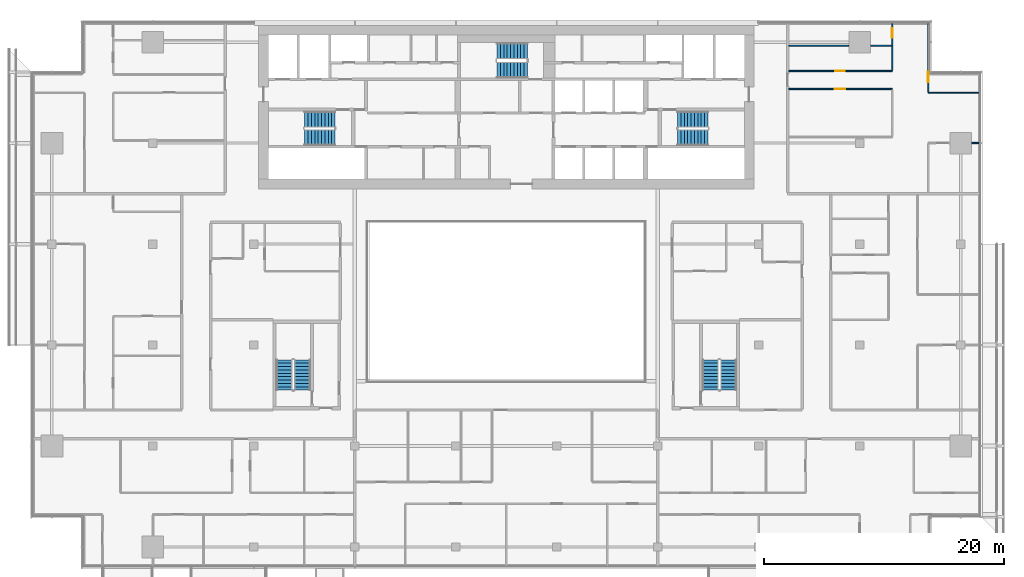
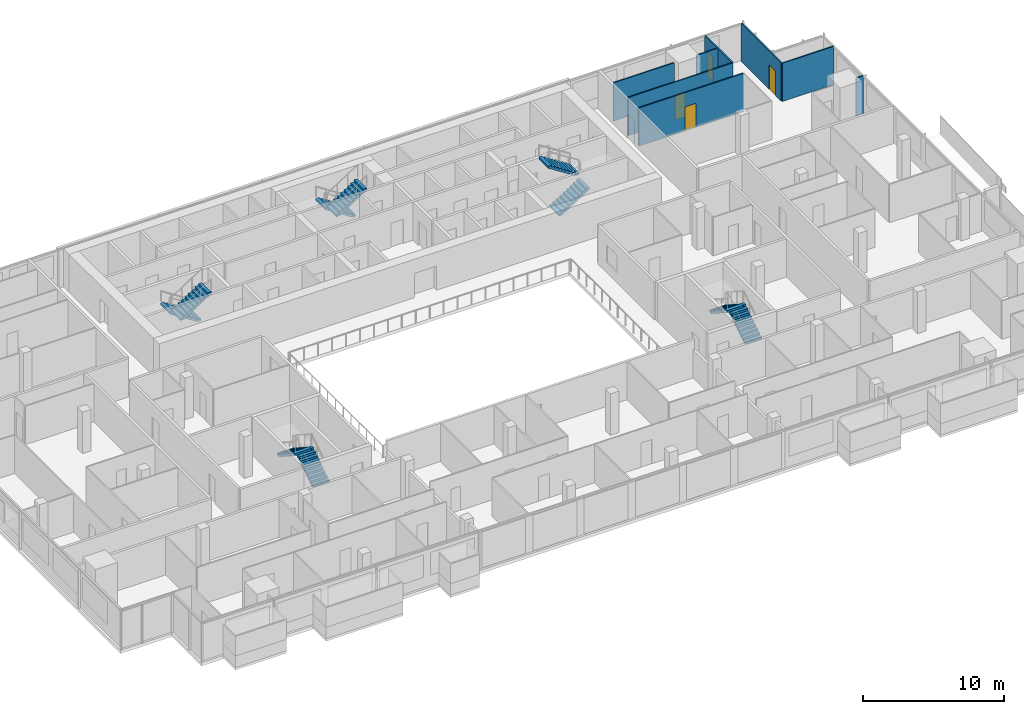
# One storey, part 25 of 29: 10 stair flights, 8 walls, 4 doors, 4 openings, 5 elements without a shape of their own.
"""IFC4 building model written with IfcOpenShell, lengths in metres."""

from ifc_helpers import new_model, si_unit, direction, frame, frame_2d, origin, place, context, subcontext, project, spatial, polyline, rectangle, outline, extrude, material, layer, layer_set, type_object, element, fill, aggregate, save


model = new_model("IFC4")

# Units and contexts
model_context = context("Model", 3, precision=1e-05, world=origin(), true_north=direction((0.0, 1.0)))
body_context = subcontext(model_context, "Body", "Model", "MODEL_VIEW")
ifc_project = project(units=[si_unit("LENGTHUNIT", "METRE"), si_unit("AREAUNIT", "SQUARE_METRE"), si_unit("VOLUMEUNIT", "CUBIC_METRE"), si_unit("PLANEANGLEUNIT", "RADIAN"), si_unit("MASSUNIT", "GRAM", prefix="KILO")], contexts=[model_context])

# Site, building, storey
site_placement = place(None, origin())
site = spatial("IfcSite", under=ifc_project, at=site_placement, CompositionType="ELEMENT")
building_placement = place(site_placement, origin())
building = spatial("IfcBuilding", under=site, at=building_placement, Name="Saffron Gate Tower", CompositionType="ELEMENT")
storey_placement = place(building_placement, frame((0.0, 0.0, 161.85009765625)))
storey = spatial("IfcBuildingStorey", under=building, at=storey_placement, Name="L39", CompositionType="ELEMENT", Elevation=161.85009765625)

# Walls
ifc_material_1 = material(Name="Plasterboard on steel studs", Category="steel")
ifc_layer = layer(ifc_material_1, 0.10009765625)
ifc_layer_set = layer_set([ifc_layer], Name="PW1 Partition 100")
wall_type = type_object("IfcWallType", Name="PW1 Partition 100", PredefinedType="PARTITIONING", material=ifc_layer_set)
wall_1_placement = place(storey_placement, frame((126.320068359375, 65.39990234375, 0.0), z_axis=(0.0, 0.0, 1.0), x_axis=(1.0, 0.0, 0.0)))
element("IfcWall", 1, at=wall_1_placement, inside=storey, type_object=wall_type, Name="Partition C2-48", PredefinedType="PARTITIONING", context=body_context, shape_type="SweptSolid", body=[
    extrude(rectangle(XDim=0.599853515625, YDim=0.10009765625, at=frame_2d((0.2998046875, 0.0))), origin(), (0.0, 0.0, 1.0), 3.31982421875),
])
wall_2_placement = place(storey_placement, frame((122.699951171875, 69.60009765625, 0.0), z_axis=(0.0, 0.0, 1.0), x_axis=(1.0, 0.0, 0.0)))
element("IfcWall", 2, at=wall_2_placement, inside=storey, type_object=wall_type, Name="Partition C2-54", PredefinedType="PARTITIONING", context=body_context, shape_type="SweptSolid", body=[
    extrude(rectangle(XDim=4.219970703125, YDim=0.10009765625, at=frame_2d((2.10986328125, 0.0))), origin(), (0.0, 0.0, 1.0), 3.31982421875),
])

# Wall, opening, door
wall_3_placement = place(storey_placement, frame((119.699951171875, 69.89990234375, 0.0), z_axis=(0.0, 0.0, 1.0), x_axis=(-1.0, 0.0, 0.0)))
wall_3 = element("IfcWall", 3, at=wall_3_placement, inside=storey, type_object=wall_type, Name="Partition C2-55", PredefinedType="PARTITIONING", context=body_context, shape_type="SweptSolid", body=[
    extrude(rectangle(XDim=8.599853515625, YDim=0.10009765625, at=frame_2d((4.2998046875, 0.0))), origin(), (0.0, 0.0, 1.0), 3.31982421875),
])
opening_1_placement = place(wall_3_placement, frame((3.89990234375, 0.0, 0.0)))
opening_1 = element("IfcOpeningElement", 4, at=opening_1_placement, cuts=wall_3, Name="Opening C2-36", PredefinedType="OPENING", context=body_context, shape_type="SweptSolid", body=[
    extrude(rectangle(XDim=0.89990234375, YDim=2.10009765625, at=frame_2d((0.449951171875, 1.050048828125))), frame((0.0, 0.06005859375, 0.0), z_axis=(0.0, -1.0, 0.0), x_axis=(1.0, 0.0, 0.0)), (0.0, 0.0, 1.0), 0.1201171875),
])
ifc_material_2 = material(Name="Timber door set", Category="wood")
door_type_1 = type_object("IfcDoorType", Name="RD1 Room door 900x2100", OperationType="NOTDEFINED", PredefinedType="DOOR", material=ifc_material_2)
door_1_placement = place(opening_1_placement, origin())
door_1 = element("IfcDoor", 5, at=door_1_placement, inside=storey, type_object=door_type_1, Name="Door C2-36", OperationType="SINGLE_SWING_RIGHT", OverallHeight=2.10009765625, OverallWidth=0.89990234375, PredefinedType="DOOR", context=body_context, shape_type="SweptSolid", body=[
    extrude(rectangle(XDim=0.89990234375, YDim=2.10009765625, at=frame_2d((0.449951171875, 1.050048828125))), frame((0.0, 0.02490234375, 0.0), z_axis=(0.0, -1.0, 0.0), x_axis=(1.0, 0.0, 0.0)), (0.0, 0.0, 1.0), 0.050048828125),
])
fill(opening_1, door_1)

wall_4_placement = place(storey_placement, frame((111.10009765625, 71.39990234375, 0.0), z_axis=(0.0, 0.0, 1.0), x_axis=(1.0, 0.0, 0.0)))
wall_4 = element("IfcWall", 6, at=wall_4_placement, inside=storey, type_object=wall_type, Name="Partition C2-57", PredefinedType="PARTITIONING", context=body_context, shape_type="SweptSolid", body=[
    extrude(rectangle(XDim=8.599853515625, YDim=0.10009765625, at=frame_2d((4.2998046875, 0.0))), origin(), (0.0, 0.0, 1.0), 3.31982421875),
])
opening_2_placement = place(wall_4_placement, frame((3.85009765625, 0.0, 0.0)))
opening_2 = element("IfcOpeningElement", 7, at=opening_2_placement, cuts=wall_4, Name="Opening C2-50", PredefinedType="OPENING", context=body_context, shape_type="SweptSolid", body=[
    extrude(rectangle(XDim=0.800048828125, YDim=2.10009765625, at=frame_2d((0.39990234375, 1.050048828125))), frame((0.0, 0.06005859375, 0.0), z_axis=(0.0, -1.0, 0.0), x_axis=(1.0, 0.0, 0.0)), (0.0, 0.0, 1.0), 0.1201171875),
])
door_type_2 = type_object("IfcDoorType", Name="RD2 Bathroom door 800x2100", OperationType="NOTDEFINED", PredefinedType="DOOR", material=ifc_material_2)
door_2_placement = place(opening_2_placement, origin())
door_2 = element("IfcDoor", 8, at=door_2_placement, inside=storey, type_object=door_type_2, Name="Door C2-50", OperationType="SINGLE_SWING_LEFT", OverallHeight=2.10009765625, OverallWidth=0.800048828125, PredefinedType="DOOR", context=body_context, shape_type="SweptSolid", body=[
    extrude(rectangle(XDim=0.800048828125, YDim=2.10009765625, at=frame_2d((0.39990234375, 1.050048828125))), frame((0.0, 0.02490234375, 0.0), z_axis=(0.0, -1.0, 0.0), x_axis=(1.0, 0.0, 0.0)), (0.0, 0.0, 1.0), 0.050048828125),
])
fill(opening_2, door_2)

# Walls
wall_5_placement = place(storey_placement, frame((111.10009765625, 73.5, 0.0), z_axis=(0.0, 0.0, 1.0), x_axis=(1.0, 0.0, 0.0)))
element("IfcWall", 9, at=wall_5_placement, inside=storey, type_object=wall_type, Name="Partition C2-58", PredefinedType="PARTITIONING", context=body_context, shape_type="SweptSolid", body=[
    extrude(rectangle(XDim=4.97998046875, YDim=0.10009765625, at=frame_2d((2.489990234375, 0.0))), origin(), (0.0, 0.0, 1.0), 3.31982421875),
])
wall_6_placement = place(storey_placement, frame((117.919921875, 73.5, 0.0), z_axis=(0.0, 0.0, 1.0), x_axis=(1.0, 0.0, 0.0)))
element("IfcWall", 10, at=wall_6_placement, inside=storey, type_object=wall_type, Name="Partition C2-59", PredefinedType="PARTITIONING", context=body_context, shape_type="SweptSolid", body=[
    extrude(rectangle(XDim=1.72998046875, YDim=0.10009765625, at=frame_2d((0.864990234375, 0.0))), origin(), (0.0, 0.0, 1.0), 3.31982421875),
])

# Wall, opening, door
wall_7_placement = place(storey_placement, frame((119.699951171875, 71.449951171875, 0.0), z_axis=(0.0, 0.0, 1.0), x_axis=(0.0, 1.0, 0.0)))
wall_7 = element("IfcWall", 11, at=wall_7_placement, inside=storey, type_object=wall_type, Name="Partition C2-113", PredefinedType="PARTITIONING", context=body_context, shape_type="SweptSolid", body=[
    extrude(rectangle(XDim=3.8701171875, YDim=0.10009765625, at=frame_2d((1.93505859375, 0.0))), origin(), (0.0, 0.0, 1.0), 3.31982421875),
])
opening_3_placement = place(wall_7_placement, frame((2.699951171875, 0.0, 0.0)))
opening_3 = element("IfcOpeningElement", 12, at=opening_3_placement, cuts=wall_7, Name="Opening C2-51", PredefinedType="OPENING", context=body_context, shape_type="SweptSolid", body=[
    extrude(rectangle(XDim=0.800048828125, YDim=2.10009765625, at=frame_2d((0.39990234375, 1.050048828125))), frame((0.0, 0.06005859375, 0.0), z_axis=(0.0, -1.0, 0.0), x_axis=(1.0, 0.0, 0.0)), (0.0, 0.0, 1.0), 0.1201171875),
])
door_3_placement = place(opening_3_placement, origin())
door_3 = element("IfcDoor", 13, at=door_3_placement, inside=storey, type_object=door_type_2, Name="Door C2-51", OperationType="SINGLE_SWING_RIGHT", OverallHeight=2.10009765625, OverallWidth=0.800048828125, PredefinedType="DOOR", context=body_context, shape_type="SweptSolid", body=[
    extrude(rectangle(XDim=0.800048828125, YDim=2.10009765625, at=frame_2d((0.39990234375, 1.050048828125))), frame((0.0, 0.02490234375, 0.0), z_axis=(0.0, -1.0, 0.0), x_axis=(1.0, 0.0, 0.0)), (0.0, 0.0, 1.0), 0.050048828125),
])
fill(opening_3, door_3)

wall_8_placement = place(storey_placement, frame((122.699951171875, 75.320068359375, 0.0), z_axis=(0.0, 0.0, 1.0), x_axis=(0.0, -1.0, 0.0)))
wall_8 = element("IfcWall", 14, at=wall_8_placement, inside=storey, type_object=wall_type, Name="Partition C2-119", PredefinedType="PARTITIONING", context=body_context, shape_type="SweptSolid", body=[
    extrude(rectangle(XDim=5.670166015625, YDim=0.10009765625, at=frame_2d((2.8349609375, 0.0))), origin(), (0.0, 0.0, 1.0), 3.31982421875),
])
opening_4_placement = place(wall_8_placement, frame((3.96630859375, 0.0, 0.0)))
opening_4 = element("IfcOpeningElement", 15, at=opening_4_placement, cuts=wall_8, Name="Opening C2-35", PredefinedType="OPENING", context=body_context, shape_type="SweptSolid", body=[
    extrude(rectangle(XDim=0.89990234375, YDim=2.10009765625, at=frame_2d((0.449951171875, 1.050048828125))), frame((0.0, 0.06005859375, 0.0), z_axis=(0.0, -1.0, 0.0), x_axis=(1.0, 0.0, 0.0)), (0.0, 0.0, 1.0), 0.1201171875),
])
door_4_placement = place(opening_4_placement, origin())
door_4 = element("IfcDoor", 16, at=door_4_placement, inside=storey, type_object=door_type_1, Name="Door C2-35", OperationType="SINGLE_SWING_RIGHT", OverallHeight=2.10009765625, OverallWidth=0.89990234375, PredefinedType="DOOR", context=body_context, shape_type="SweptSolid", body=[
    extrude(rectangle(XDim=0.89990234375, YDim=2.10009765625, at=frame_2d((0.449951171875, 1.050048828125))), frame((0.0, 0.02490234375, 0.0), z_axis=(0.0, -1.0, 0.0), x_axis=(1.0, 0.0, 0.0)), (0.0, 0.0, 1.0), 0.050048828125),
])
fill(opening_4, door_4)

# Stair, stair flights
ifc_material_3 = material(Name="Concrete C40", Category="concrete")
stair_type = type_object("IfcStairType", Name="ST7 Stair 1350 wide, 20 risers of 180", PredefinedType="HALF_TURN_STAIR", material=ifc_material_3)
stair_1_placement = place(storey_placement, origin())
stair_1 = element("IfcStair", 17, at=stair_1_placement, inside=storey, type_object=stair_type, Name="L39 Exit stair A", PredefinedType="HALF_TURN_STAIR")
stair_flight_type = type_object("IfcStairFlightType", Name="SF3 Stair flight 1350 wide, riser 180 going 280", PredefinedType="STRAIGHT", material=ifc_material_3)
stair_flight_1_placement = place(storey_placement, frame((73.35009765625, 67.375, 0.0), z_axis=(0.0, 0.0, 1.0), x_axis=(-1.0, 0.0, 0.0)))
stair_flight_1 = element("IfcStairFlight", 18, at=stair_flight_1_placement, type_object=stair_flight_type, Name="ST-A flight 1", NumberOfRisers=10, NumberOfTreads=9, PredefinedType="STRAIGHT", RiserHeight=0.18, TreadLength=0.28, context=body_context, shape_type="SweptSolid", body=[
    extrude(outline(polyline([(0.0, 0.0), (0.0, 0.179931640625), (0.280029296875, 0.179931640625), (0.280029296875, 0.360107421875), (0.56005859375, 0.360107421875), (0.56005859375, 0.5400390625), (0.840087890625, 0.5400390625), (0.840087890625, 0.719970703125), (1.1201171875, 0.719970703125), (1.1201171875, 0.89990234375), (1.39990234375, 0.89990234375), (1.39990234375, 1.080078125), (1.679931640625, 1.080078125), (1.679931640625, 1.260009765625), (1.9599609375, 1.260009765625), (1.9599609375, 1.43994140625), (2.239990234375, 1.43994140625), (2.239990234375, 1.6201171875), (2.52001953125, 1.6201171875), (2.52001953125, 1.800048828125), (2.52001953125, 1.44189453125), (0.277099609375, 0.0), (0.0, 0.0)])), frame((0.0, 0.675048828125, 0.0), z_axis=(0.0, -1.0, 0.0), x_axis=(1.0, 0.0, 0.0)), (0.0, 0.0, 1.0), 1.35009765625),
])
stair_flight_2_placement = place(storey_placement, frame((70.830078125, 65.875, 1.7998046875), z_axis=(0.0, 0.0, 1.0), x_axis=(1.0, 0.0, 0.0)))
stair_flight_2 = element("IfcStairFlight", 19, at=stair_flight_2_placement, type_object=stair_flight_type, Name="ST-A flight 2", NumberOfRisers=10, NumberOfTreads=9, PredefinedType="STRAIGHT", RiserHeight=0.18, TreadLength=0.28, context=body_context, shape_type="SweptSolid", body=[
    extrude(outline(polyline([(0.0, 0.0), (0.0, 0.179931640625), (0.280029296875, 0.179931640625), (0.280029296875, 0.360107421875), (0.56005859375, 0.360107421875), (0.56005859375, 0.5400390625), (0.840087890625, 0.5400390625), (0.840087890625, 0.719970703125), (1.1201171875, 0.719970703125), (1.1201171875, 0.89990234375), (1.39990234375, 0.89990234375), (1.39990234375, 1.080078125), (1.679931640625, 1.080078125), (1.679931640625, 1.260009765625), (1.9599609375, 1.260009765625), (1.9599609375, 1.43994140625), (2.239990234375, 1.43994140625), (2.239990234375, 1.6201171875), (2.52001953125, 1.6201171875), (2.52001953125, 1.800048828125), (2.52001953125, 1.44189453125), (0.277099609375, 0.0), (0.0, 0.0)])), frame((0.0, 0.675048828125, 0.0), z_axis=(0.0, -1.0, 0.0), x_axis=(1.0, 0.0, 0.0)), (0.0, 0.0, 1.0), 1.35009765625),
])
aggregate(stair_1, [stair_flight_1, stair_flight_2])

stair_2_placement = place(storey_placement, origin())
stair_2 = element("IfcStair", 20, at=stair_2_placement, inside=storey, type_object=stair_type, Name="L39 Exit stair B", PredefinedType="HALF_TURN_STAIR")
stair_flight_3_placement = place(storey_placement, frame((101.85009765625, 65.875, 0.0), z_axis=(0.0, 0.0, 1.0), x_axis=(1.0, 0.0, 0.0)))
stair_flight_3 = element("IfcStairFlight", 21, at=stair_flight_3_placement, type_object=stair_flight_type, Name="ST-B flight 1", NumberOfRisers=10, NumberOfTreads=9, PredefinedType="STRAIGHT", RiserHeight=0.18, TreadLength=0.28, context=body_context, shape_type="SweptSolid", body=[
    extrude(outline(polyline([(0.0, 0.0), (0.0, 0.179931640625), (0.280029296875, 0.179931640625), (0.280029296875, 0.360107421875), (0.56005859375, 0.360107421875), (0.56005859375, 0.5400390625), (0.840087890625, 0.5400390625), (0.840087890625, 0.719970703125), (1.1201171875, 0.719970703125), (1.1201171875, 0.89990234375), (1.39990234375, 0.89990234375), (1.39990234375, 1.080078125), (1.679931640625, 1.080078125), (1.679931640625, 1.260009765625), (1.9599609375, 1.260009765625), (1.9599609375, 1.43994140625), (2.239990234375, 1.43994140625), (2.239990234375, 1.6201171875), (2.52001953125, 1.6201171875), (2.52001953125, 1.800048828125), (2.52001953125, 1.44189453125), (0.277099609375, 0.0), (0.0, 0.0)])), frame((0.0, 0.675048828125, 0.0), z_axis=(0.0, -1.0, 0.0), x_axis=(1.0, 0.0, 0.0)), (0.0, 0.0, 1.0), 1.35009765625),
])
stair_flight_4_placement = place(storey_placement, frame((104.3701171875, 67.375, 1.7998046875), z_axis=(0.0, 0.0, 1.0), x_axis=(-1.0, 0.0, 0.0)))
stair_flight_4 = element("IfcStairFlight", 22, at=stair_flight_4_placement, type_object=stair_flight_type, Name="ST-B flight 2", NumberOfRisers=10, NumberOfTreads=9, PredefinedType="STRAIGHT", RiserHeight=0.18, TreadLength=0.28, context=body_context, shape_type="SweptSolid", body=[
    extrude(outline(polyline([(0.0, 0.0), (0.0, 0.179931640625), (0.280029296875, 0.179931640625), (0.280029296875, 0.360107421875), (0.56005859375, 0.360107421875), (0.56005859375, 0.5400390625), (0.840087890625, 0.5400390625), (0.840087890625, 0.719970703125), (1.1201171875, 0.719970703125), (1.1201171875, 0.89990234375), (1.39990234375, 0.89990234375), (1.39990234375, 1.080078125), (1.679931640625, 1.080078125), (1.679931640625, 1.260009765625), (1.9599609375, 1.260009765625), (1.9599609375, 1.43994140625), (2.239990234375, 1.43994140625), (2.239990234375, 1.6201171875), (2.52001953125, 1.6201171875), (2.52001953125, 1.800048828125), (2.52001953125, 1.44189453125), (0.277099609375, 0.0), (0.0, 0.0)])), frame((0.0, 0.675048828125, 0.0), z_axis=(0.0, -1.0, 0.0), x_axis=(1.0, 0.0, 0.0)), (0.0, 0.0, 1.0), 1.35009765625),
])
aggregate(stair_2, [stair_flight_3, stair_flight_4])

stair_3_placement = place(storey_placement, origin())
stair_3 = element("IfcStair", 23, at=stair_3_placement, inside=storey, type_object=stair_type, Name="L39 Exit stair C", PredefinedType="HALF_TURN_STAIR")
stair_flight_5_placement = place(storey_placement, frame((89.35009765625, 73.074951171875, 0.0), z_axis=(0.0, 0.0, 1.0), x_axis=(-1.0, 0.0, 0.0)))
stair_flight_5 = element("IfcStairFlight", 24, at=stair_flight_5_placement, type_object=stair_flight_type, Name="ST-C flight 1", NumberOfRisers=10, NumberOfTreads=9, PredefinedType="STRAIGHT", RiserHeight=0.18, TreadLength=0.28, context=body_context, shape_type="SweptSolid", body=[
    extrude(outline(polyline([(0.0, 0.0), (0.0, 0.179931640625), (0.280029296875, 0.179931640625), (0.280029296875, 0.360107421875), (0.56005859375, 0.360107421875), (0.56005859375, 0.5400390625), (0.840087890625, 0.5400390625), (0.840087890625, 0.719970703125), (1.1201171875, 0.719970703125), (1.1201171875, 0.89990234375), (1.39990234375, 0.89990234375), (1.39990234375, 1.080078125), (1.679931640625, 1.080078125), (1.679931640625, 1.260009765625), (1.9599609375, 1.260009765625), (1.9599609375, 1.43994140625), (2.239990234375, 1.43994140625), (2.239990234375, 1.6201171875), (2.52001953125, 1.6201171875), (2.52001953125, 1.800048828125), (2.52001953125, 1.44189453125), (0.277099609375, 0.0), (0.0, 0.0)])), frame((0.0, 0.675048828125, 0.0), z_axis=(0.0, -1.0, 0.0), x_axis=(1.0, 0.0, 0.0)), (0.0, 0.0, 1.0), 1.35009765625),
])
stair_flight_6_placement = place(storey_placement, frame((86.830078125, 71.47509765625, 1.7998046875), z_axis=(0.0, 0.0, 1.0), x_axis=(1.0, 0.0, 0.0)))
stair_flight_6 = element("IfcStairFlight", 25, at=stair_flight_6_placement, type_object=stair_flight_type, Name="ST-C flight 2", NumberOfRisers=10, NumberOfTreads=9, PredefinedType="STRAIGHT", RiserHeight=0.18, TreadLength=0.28, context=body_context, shape_type="SweptSolid", body=[
    extrude(outline(polyline([(0.0, 0.0), (0.0, 0.179931640625), (0.280029296875, 0.179931640625), (0.280029296875, 0.360107421875), (0.56005859375, 0.360107421875), (0.56005859375, 0.5400390625), (0.840087890625, 0.5400390625), (0.840087890625, 0.719970703125), (1.1201171875, 0.719970703125), (1.1201171875, 0.89990234375), (1.39990234375, 0.89990234375), (1.39990234375, 1.080078125), (1.679931640625, 1.080078125), (1.679931640625, 1.260009765625), (1.9599609375, 1.260009765625), (1.9599609375, 1.43994140625), (2.239990234375, 1.43994140625), (2.239990234375, 1.6201171875), (2.52001953125, 1.6201171875), (2.52001953125, 1.800048828125), (2.52001953125, 1.44189453125), (0.277099609375, 0.0), (0.0, 0.0)])), frame((0.0, 0.675048828125, 0.0), z_axis=(0.0, -1.0, 0.0), x_axis=(1.0, 0.0, 0.0)), (0.0, 0.0, 1.0), 1.35009765625),
])
aggregate(stair_3, [stair_flight_5, stair_flight_6])

stair_4_placement = place(storey_placement, origin())
stair_4 = element("IfcStair", 26, at=stair_4_placement, inside=storey, type_object=stair_type, Name="L39 Exit stair D", PredefinedType="HALF_TURN_STAIR")
stair_flight_7_placement = place(storey_placement, frame((70.625, 44.85009765625, 0.0), z_axis=(0.0, 0.0, 1.0), x_axis=(0.0, 1.0, 0.0)))
stair_flight_7 = element("IfcStairFlight", 27, at=stair_flight_7_placement, type_object=stair_flight_type, Name="ST-D flight 1", NumberOfRisers=10, NumberOfTreads=9, PredefinedType="STRAIGHT", RiserHeight=0.18, TreadLength=0.28, context=body_context, shape_type="SweptSolid", body=[
    extrude(outline(polyline([(0.0, 0.0), (0.0, 0.179931640625), (0.280029296875, 0.179931640625), (0.280029296875, 0.360107421875), (0.56005859375, 0.360107421875), (0.56005859375, 0.5400390625), (0.840087890625, 0.5400390625), (0.840087890625, 0.719970703125), (1.1201171875, 0.719970703125), (1.1201171875, 0.89990234375), (1.39990234375, 0.89990234375), (1.39990234375, 1.080078125), (1.679931640625, 1.080078125), (1.679931640625, 1.260009765625), (1.9599609375, 1.260009765625), (1.9599609375, 1.43994140625), (2.239990234375, 1.43994140625), (2.239990234375, 1.6201171875), (2.52001953125, 1.6201171875), (2.52001953125, 1.800048828125), (2.52001953125, 1.44189453125), (0.277099609375, 0.0), (0.0, 0.0)])), frame((0.0, 0.675048828125, 0.0), z_axis=(0.0, -1.0, 0.0), x_axis=(1.0, 0.0, 0.0)), (0.0, 0.0, 1.0), 1.35009765625),
])
stair_flight_8_placement = place(storey_placement, frame((69.125, 47.3701171875, 1.7998046875), z_axis=(0.0, 0.0, 1.0), x_axis=(0.0, -1.0, 0.0)))
stair_flight_8 = element("IfcStairFlight", 28, at=stair_flight_8_placement, type_object=stair_flight_type, Name="ST-D flight 2", NumberOfRisers=10, NumberOfTreads=9, PredefinedType="STRAIGHT", RiserHeight=0.18, TreadLength=0.28, context=body_context, shape_type="SweptSolid", body=[
    extrude(outline(polyline([(0.0, 0.0), (0.0, 0.179931640625), (0.280029296875, 0.179931640625), (0.280029296875, 0.360107421875), (0.56005859375, 0.360107421875), (0.56005859375, 0.5400390625), (0.840087890625, 0.5400390625), (0.840087890625, 0.719970703125), (1.1201171875, 0.719970703125), (1.1201171875, 0.89990234375), (1.39990234375, 0.89990234375), (1.39990234375, 1.080078125), (1.679931640625, 1.080078125), (1.679931640625, 1.260009765625), (1.9599609375, 1.260009765625), (1.9599609375, 1.43994140625), (2.239990234375, 1.43994140625), (2.239990234375, 1.6201171875), (2.52001953125, 1.6201171875), (2.52001953125, 1.800048828125), (2.52001953125, 1.44189453125), (0.277099609375, 0.0), (0.0, 0.0)])), frame((0.0, 0.675048828125, 0.0), z_axis=(0.0, -1.0, 0.0), x_axis=(1.0, 0.0, 0.0)), (0.0, 0.0, 1.0), 1.35009765625),
])
aggregate(stair_4, [stair_flight_7, stair_flight_8])

stair_5_placement = place(storey_placement, origin())
stair_5 = element("IfcStair", 29, at=stair_5_placement, inside=storey, type_object=stair_type, Name="L39 Exit stair E", PredefinedType="HALF_TURN_STAIR")
stair_flight_9_placement = place(storey_placement, frame((106.074951171875, 44.85009765625, 0.0), z_axis=(0.0, 0.0, 1.0), x_axis=(0.0, 1.0, 0.0)))
stair_flight_9 = element("IfcStairFlight", 30, at=stair_flight_9_placement, type_object=stair_flight_type, Name="ST-E flight 1", NumberOfRisers=10, NumberOfTreads=9, PredefinedType="STRAIGHT", RiserHeight=0.18, TreadLength=0.28, context=body_context, shape_type="SweptSolid", body=[
    extrude(outline(polyline([(0.0, 0.0), (0.0, 0.179931640625), (0.280029296875, 0.179931640625), (0.280029296875, 0.360107421875), (0.56005859375, 0.360107421875), (0.56005859375, 0.5400390625), (0.840087890625, 0.5400390625), (0.840087890625, 0.719970703125), (1.1201171875, 0.719970703125), (1.1201171875, 0.89990234375), (1.39990234375, 0.89990234375), (1.39990234375, 1.080078125), (1.679931640625, 1.080078125), (1.679931640625, 1.260009765625), (1.9599609375, 1.260009765625), (1.9599609375, 1.43994140625), (2.239990234375, 1.43994140625), (2.239990234375, 1.6201171875), (2.52001953125, 1.6201171875), (2.52001953125, 1.800048828125), (2.52001953125, 1.44189453125), (0.277099609375, 0.0), (0.0, 0.0)])), frame((0.0, 0.675048828125, 0.0), z_axis=(0.0, -1.0, 0.0), x_axis=(1.0, 0.0, 0.0)), (0.0, 0.0, 1.0), 1.35009765625),
])
stair_flight_10_placement = place(storey_placement, frame((104.574951171875, 47.3701171875, 1.7998046875), z_axis=(0.0, 0.0, 1.0), x_axis=(0.0, -1.0, 0.0)))
stair_flight_10 = element("IfcStairFlight", 31, at=stair_flight_10_placement, type_object=stair_flight_type, Name="ST-E flight 2", NumberOfRisers=10, NumberOfTreads=9, PredefinedType="STRAIGHT", RiserHeight=0.18, TreadLength=0.28, context=body_context, shape_type="SweptSolid", body=[
    extrude(outline(polyline([(0.0, 0.0), (0.0, 0.179931640625), (0.280029296875, 0.179931640625), (0.280029296875, 0.360107421875), (0.56005859375, 0.360107421875), (0.56005859375, 0.5400390625), (0.840087890625, 0.5400390625), (0.840087890625, 0.719970703125), (1.1201171875, 0.719970703125), (1.1201171875, 0.89990234375), (1.39990234375, 0.89990234375), (1.39990234375, 1.080078125), (1.679931640625, 1.080078125), (1.679931640625, 1.260009765625), (1.9599609375, 1.260009765625), (1.9599609375, 1.43994140625), (2.239990234375, 1.43994140625), (2.239990234375, 1.6201171875), (2.52001953125, 1.6201171875), (2.52001953125, 1.800048828125), (2.52001953125, 1.44189453125), (0.277099609375, 0.0), (0.0, 0.0)])), frame((0.0, 0.675048828125, 0.0), z_axis=(0.0, -1.0, 0.0), x_axis=(1.0, 0.0, 0.0)), (0.0, 0.0, 1.0), 1.35009765625),
])
aggregate(stair_5, [stair_flight_9, stair_flight_10])

save(model, "model.ifc")
